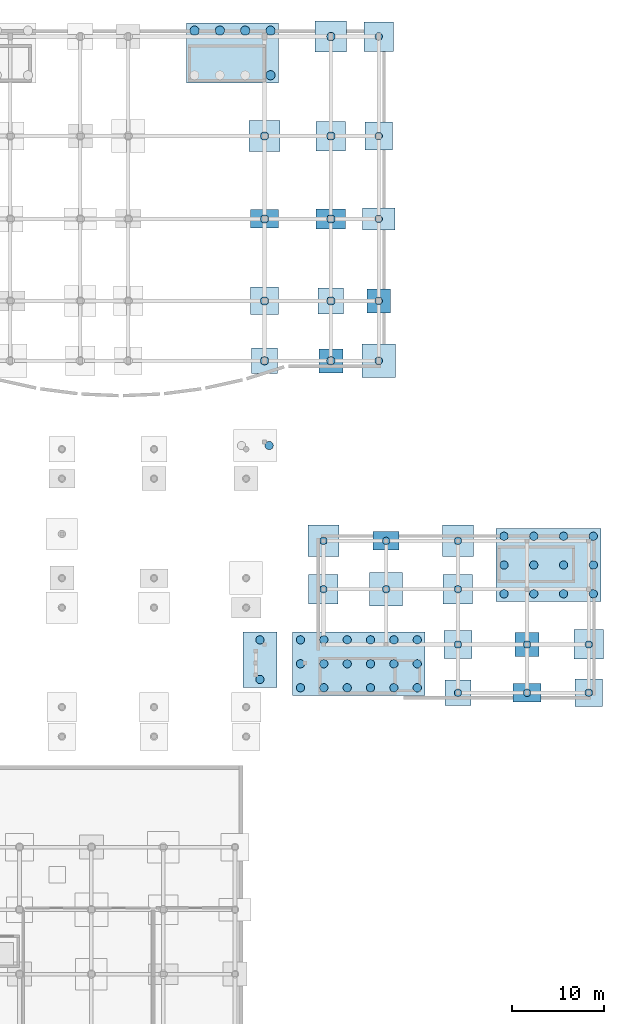
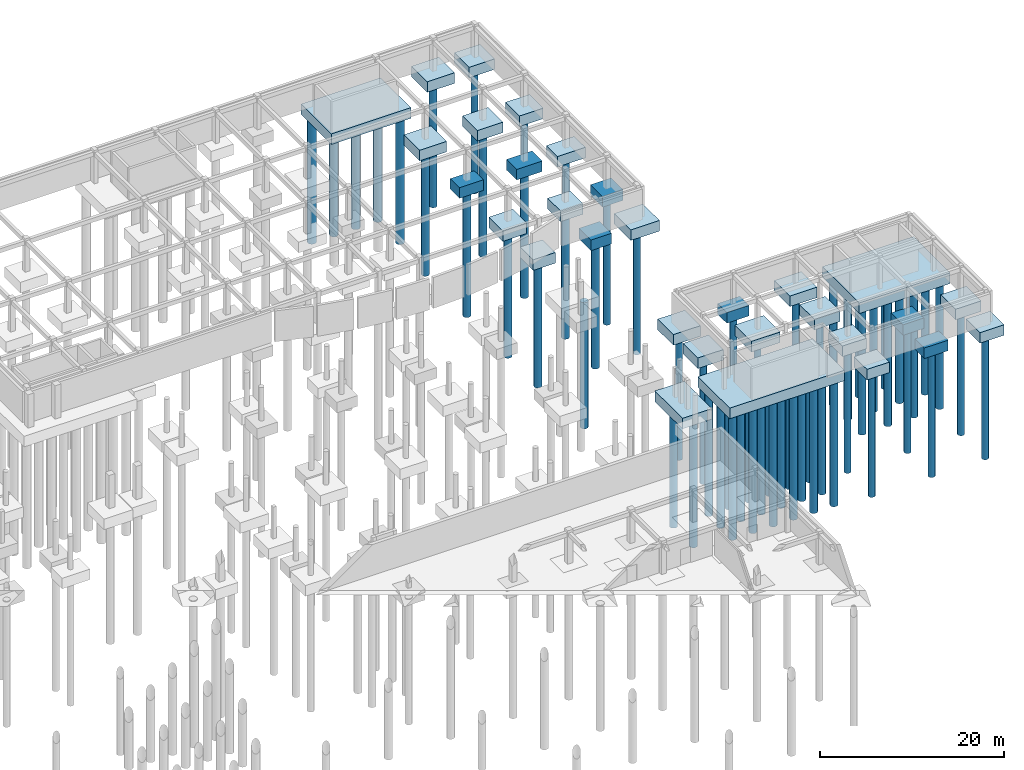
# One storey, part 5 of 22: 64 piles, 30 footings.
"""IFC4 building model written with IfcOpenShell, lengths in metres."""

from ifc_helpers import new_model, si_unit, direction, frame, origin, origin_2d, place, context, subcontext, project, spatial, polyline, rectangle, circle, outline, extrude, material, material_profile, profile_set, type_object, element, save


model = new_model("IFC4")

# Units and contexts
model_context = context("Model", 3, precision=1e-05, world=origin(), true_north=direction((0.0, 1.0)))
body_context = subcontext(model_context, "Body", "Model", "MODEL_VIEW")
ifc_project = project(units=[si_unit("LENGTHUNIT", "METRE"), si_unit("AREAUNIT", "SQUARE_METRE"), si_unit("VOLUMEUNIT", "CUBIC_METRE"), si_unit("PLANEANGLEUNIT", "RADIAN"), si_unit("MASSUNIT", "GRAM", prefix="KILO")], contexts=[model_context])

# Site, building, storey
site_placement = place(None, origin())
site = spatial("IfcSite", under=ifc_project, at=site_placement, CompositionType="ELEMENT")
building_placement = place(site_placement, origin())
building = spatial("IfcBuilding", under=site, at=building_placement, Name="Valcora Specialist Clinic", CompositionType="ELEMENT")
storey_placement = place(building_placement, frame((0.0, 0.0, -4.419921875)))
storey = spatial("IfcBuildingStorey", under=building, at=storey_placement, Name="B1", CompositionType="ELEMENT", Elevation=-4.419921875)

# Footings
ifc_material = material(Name="Concrete C35/45", Category="concrete")
footing_type_1 = type_object("IfcFootingType", Name="TY-FT-PC2600", PredefinedType="PILE_CAP", material=ifc_material)
for number, where, z_axis, x_axis, name in (
    (1, (154.5, 44.0, -1.400146484375), (0.0, 0.0, 1.0), (1.0, 0.0, 0.0), "Pile cap FT-PC-066"),
    (2, (133.199951171875, 74.800048828125, -1.400146484375), (0.0, 0.0, 1.0), (1.0, 0.0, 0.0), "Pile cap FT-PC-108"),
    (3, (138.39990234375, 81.300048828125, -1.400146484375), (0.0, 0.0, 1.0), (1.0, 0.0, 0.0), "Pile cap FT-PC-114"),
):
    element("IfcFooting", number, at=place(storey_placement, frame(where, z_axis=z_axis, x_axis=x_axis)), inside=storey, type_object=footing_type_1, Name=name, PredefinedType="PILE_CAP", context=body_context, shape_type="SweptSolid", body=[
        extrude(rectangle(XDim=2.60009765625, YDim=2.60009765625, at=origin_2d()), origin(), (0.0, 0.0, 1.0), 1.39990234375),
    ])
footing_type_2 = type_object("IfcFootingType", Name="TY-FT-PC2800", PredefinedType="PILE_CAP", material=ifc_material)
for number, where, z_axis, x_axis, name in (
    (4, (147.0, 38.75, -1.400146484375), (0.0, 0.0, 1.0), (1.0, 0.0, 0.0), "Pile cap FT-PC-061"),
    (5, (126.0, 74.800048828125, -1.400146484375), (0.0, 0.0, 1.0), (1.0, 0.0, 0.0), "Pile cap FT-PC-103"),
    (6, (133.199951171875, 81.300048828125, -1.400146484375), (0.0, 0.0, 1.0), (1.0, 0.0, 0.0), "Pile cap FT-PC-109"),
):
    element("IfcFooting", number, at=place(storey_placement, frame(where, z_axis=z_axis, x_axis=x_axis)), inside=storey, type_object=footing_type_2, Name=name, PredefinedType="PILE_CAP", context=body_context, shape_type="SweptSolid", body=[
        extrude(rectangle(XDim=2.800048828125, YDim=2.800048828125, at=origin_2d()), origin(), (0.0, 0.0, 1.0), 1.39990234375),
    ])
footing_type_3 = type_object("IfcFootingType", Name="TY-FT-PC2800X2000", PredefinedType="PILE_CAP", material=ifc_material)
footing_1_placement = place(storey_placement, frame((139.199951171875, 55.25, -1.400146484375), z_axis=(0.0, 0.0, 1.0), x_axis=(1.0, 0.0, 0.0)))
element("IfcFooting", 7, at=footing_1_placement, inside=storey, type_object=footing_type_3, Name="Pile cap FT-PC-060", PredefinedType="PILE_CAP", context=body_context, shape_type="SweptSolid", body=[
    extrude(rectangle(XDim=2.800048828125, YDim=2.0, at=origin_2d()), origin(), (0.0, 0.0, 1.0), 1.39990234375),
])
footing_type_4 = type_object("IfcFootingType", Name="TY-FT-PC3000", PredefinedType="PILE_CAP", material=ifc_material)
for number, where, z_axis, x_axis, name in (
    (8, (147.0, 44.0, -1.400146484375), (0.0, 0.0, 1.0), (1.0, 0.0, 0.0), "Pile cap FT-PC-062"),
    (9, (161.199951171875, 38.75, -1.400146484375), (0.0, 0.0, 1.0), (1.0, 0.0, 0.0), "Pile cap FT-PC-068"),
    (10, (126.0, 81.300048828125, -1.400146484375), (0.0, 0.0, 1.0), (1.0, 0.0, 0.0), "Pile cap FT-PC-104"),
    (11, (138.39990234375, 99.199951171875, -1.400146484375), (0.0, 0.0, 1.0), (1.0, 0.0, 0.0), "Pile cap FT-PC-116"),
):
    element("IfcFooting", number, at=place(storey_placement, frame(where, z_axis=z_axis, x_axis=x_axis)), inside=storey, type_object=footing_type_4, Name=name, PredefinedType="PILE_CAP", context=body_context, shape_type="SweptSolid", body=[
        extrude(rectangle(XDim=3.0, YDim=3.0, at=origin_2d()), origin(), (0.0, 0.0, 1.0), 1.39990234375),
    ])
footing_type_5 = type_object("IfcFootingType", Name="TY-FT-PC3000X2000", PredefinedType="PILE_CAP", material=ifc_material)
for number, where, z_axis, x_axis, name in (
    (12, (154.5, 38.75, -1.400146484375), (0.0, 0.0, 1.0), (1.0, 0.0, 0.0), "Pile cap FT-PC-065"),
    (13, (126.0, 90.199951171875, -1.400146484375), (0.0, 0.0, 1.0), (1.0, 0.0, 0.0), "Pile cap FT-PC-105"),
):
    element("IfcFooting", number, at=place(storey_placement, frame(where, z_axis=z_axis, x_axis=x_axis)), inside=storey, type_object=footing_type_5, Name=name, PredefinedType="PILE_CAP", context=body_context, shape_type="SweptSolid", body=[
        extrude(rectangle(XDim=3.0, YDim=2.0, at=origin_2d()), origin(), (0.0, 0.0, 1.0), 1.39990234375),
    ])
footing_type_6 = type_object("IfcFootingType", Name="TY-FT-PC3200", PredefinedType="PILE_CAP", material=ifc_material)
for number, where, z_axis, x_axis, name in (
    (14, (132.39990234375, 50.0, -1.400146484375), (0.0, 0.0, 1.0), (1.0, 0.0, 0.0), "Pile cap FT-PC-057"),
    (15, (147.0, 50.0, -1.400146484375), (0.0, 0.0, 1.0), (1.0, 0.0, 0.0), "Pile cap FT-PC-063"),
    (16, (161.199951171875, 44.0, -1.400146484375), (0.0, 0.0, 1.0), (1.0, 0.0, 0.0), "Pile cap FT-PC-069"),
    (17, (133.199951171875, 99.199951171875, -1.400146484375), (0.0, 0.0, 1.0), (1.0, 0.0, 0.0), "Pile cap FT-PC-111"),
    (18, (138.39990234375, 110.0, -1.400146484375), (0.0, 0.0, 1.0), (1.0, 0.0, 0.0), "Pile cap FT-PC-117"),
):
    element("IfcFooting", number, at=place(storey_placement, frame(where, z_axis=z_axis, x_axis=x_axis)), inside=storey, type_object=footing_type_6, Name=name, PredefinedType="PILE_CAP", context=body_context, shape_type="SweptSolid", body=[
        extrude(rectangle(XDim=3.199951171875, YDim=3.199951171875, at=origin_2d()), origin(), (0.0, 0.0, 1.0), 1.39990234375),
    ])
footing_type_7 = type_object("IfcFootingType", Name="TY-FT-PC3200X2200", PredefinedType="PILE_CAP", material=ifc_material)
footing_2_placement = place(storey_placement, frame((133.199951171875, 90.199951171875, -1.400146484375), z_axis=(0.0, 0.0, 1.0), x_axis=(1.0, 0.0, 0.0)))
element("IfcFooting", 19, at=footing_2_placement, inside=storey, type_object=footing_type_7, Name="Pile cap FT-PC-110", PredefinedType="PILE_CAP", context=body_context, shape_type="SweptSolid", body=[
    extrude(rectangle(XDim=3.199951171875, YDim=2.199951171875, at=origin_2d()), origin(), (0.0, 0.0, 1.0), 1.39990234375),
])
footing_type_8 = type_object("IfcFootingType", Name="TY-FT-PC3400", PredefinedType="PILE_CAP", material=ifc_material)
for number, where, z_axis, x_axis, name in (
    (20, (132.39990234375, 55.25, -1.400146484375), (0.0, 0.0, 1.0), (1.0, 0.0, 0.0), "Pile cap FT-PC-058"),
    (21, (147.0, 55.25, -1.400146484375), (0.0, 0.0, 1.0), (1.0, 0.0, 0.0), "Pile cap FT-PC-064"),
    (22, (126.0, 99.199951171875, -1.400146484375), (0.0, 0.0, 1.0), (1.0, 0.0, 0.0), "Pile cap FT-PC-106"),
    (23, (133.199951171875, 110.0, -1.400146484375), (0.0, 0.0, 1.0), (1.0, 0.0, 0.0), "Pile cap FT-PC-112"),
):
    element("IfcFooting", number, at=place(storey_placement, frame(where, z_axis=z_axis, x_axis=x_axis)), inside=storey, type_object=footing_type_8, Name=name, PredefinedType="PILE_CAP", context=body_context, shape_type="SweptSolid", body=[
        extrude(rectangle(XDim=3.39990234375, YDim=3.39990234375, at=origin_2d()), origin(), (0.0, 0.0, 1.0), 1.39990234375),
    ])
footing_type_9 = type_object("IfcFootingType", Name="TY-FT-PC3500X2400", PredefinedType="PILE_CAP", material=ifc_material)
footing_3_placement = place(storey_placement, frame((138.39990234375, 90.199951171875, -1.400146484375), z_axis=(0.0, 0.0, 1.0), x_axis=(1.0, 0.0, 0.0)))
element("IfcFooting", 24, at=footing_3_placement, inside=storey, type_object=footing_type_9, Name="Pile cap FT-PC-115", PredefinedType="PILE_CAP", context=body_context, shape_type="SweptSolid", body=[
    extrude(rectangle(XDim=3.5, YDim=2.39990234375, at=origin_2d()), origin(), (0.0, 0.0, 1.0), 1.39990234375),
])
footing_type_10 = type_object("IfcFootingType", Name="TY-FT-PC3600", PredefinedType="PILE_CAP", material=ifc_material)
for number, where, z_axis, x_axis, name in (
    (25, (139.199951171875, 50.0, -1.400146484375), (0.0, 0.0, 1.0), (1.0, 0.0, 0.0), "Pile cap FT-PC-059"),
    (26, (138.39990234375, 74.800048828125, -1.400146484375), (0.0, 0.0, 1.0), (1.0, 0.0, 0.0), "Pile cap FT-PC-113"),
):
    element("IfcFooting", number, at=place(storey_placement, frame(where, z_axis=z_axis, x_axis=x_axis)), inside=storey, type_object=footing_type_10, Name=name, PredefinedType="PILE_CAP", context=body_context, shape_type="SweptSolid", body=[
        extrude(rectangle(XDim=3.60009765625, YDim=3.60009765625, at=origin_2d()), origin(), (0.0, 0.0, 1.0), 1.39990234375),
    ])
footing_type_11 = type_object("IfcFootingType", Name="TY-FT-PC4500X3000", PredefinedType="PILE_CAP", material=ifc_material)
footing_4_placement = place(storey_placement, frame((0.0, 0.0, -1.400146484375)))
element("IfcFooting", 27, at=footing_4_placement, inside=storey, type_object=footing_type_11, Name="Combined pile cap FT-PC-067", PredefinedType="PILE_CAP", context=body_context, shape_type="SweptSolid", body=[
    extrude(outline(polyline([(151.14990234375, 48.64990234375), (162.550048828125, 48.64990234375), (162.550048828125, 56.60009765625), (151.14990234375, 56.60009765625), (151.14990234375, 48.64990234375)])), origin(), (0.0, 0.0, 1.0), 1.400146484375),
])
footing_5_placement = place(storey_placement, frame((0.0, 0.0, -1.400146484375)))
element("IfcFooting", 28, at=footing_5_placement, inside=storey, type_object=footing_type_11, Name="Combined pile cap FT-PC-193", PredefinedType="PILE_CAP", context=body_context, shape_type="SweptSolid", body=[
    extrude(outline(polyline([(123.64990234375, 39.35009765625), (127.35009765625, 39.35009765625), (127.35009765625, 45.35009765625), (123.64990234375, 45.35009765625), (123.64990234375, 39.35009765625)])), origin(), (0.0, 0.0, 1.0), 1.400146484375),
])
footing_type_12 = type_object("IfcFootingType", Name="TY-FT-PC4800X3200", PredefinedType="PILE_CAP", material=ifc_material)
footing_6_placement = place(storey_placement, frame((0.0, 0.0, -1.400146484375)))
element("IfcFooting", 29, at=footing_6_placement, inside=storey, type_object=footing_type_12, Name="Combined pile cap FT-PC-056", PredefinedType="PILE_CAP", context=body_context, shape_type="SweptSolid", body=[
    extrude(outline(polyline([(129.050048828125, 38.449951171875), (143.429931640625, 38.449951171875), (143.429931640625, 45.35009765625), (129.050048828125, 45.35009765625), (129.050048828125, 38.449951171875)])), origin(), (0.0, 0.0, 1.0), 1.400146484375),
])
footing_7_placement = place(storey_placement, frame((0.0, 0.0, -1.400146484375)))
element("IfcFooting", 30, at=footing_7_placement, inside=storey, type_object=footing_type_12, Name="Combined pile cap FT-PC-107", PredefinedType="PILE_CAP", context=body_context, shape_type="SweptSolid", body=[
    extrude(outline(polyline([(117.550048828125, 104.949951171875), (127.5, 104.949951171875), (127.5, 111.5), (117.550048828125, 111.5), (117.550048828125, 104.949951171875)])), origin(), (0.0, 0.0, 1.0), 1.400146484375),
])

# Piles
ifc_material_profile_1 = material_profile(ifc_material, circle(Radius=0.5, at=origin_2d()), Name="RC-PIL-D1000")
ifc_profile_set_1 = profile_set([ifc_material_profile_1], Name="Concrete C35/45")
pile_type_1 = type_object("IfcPileType", Name="TY-PL-B1000", PredefinedType="BORED", material=ifc_profile_set_1)
for number, where, z_axis, x_axis, name in (
    (31, (118.39990234375, 110.64990234375, -1.300048828125), (0.0, 0.0, -1.0), (1.0, 0.0, 0.0), "Bored pile PL-FT-PC-107-02"),
    (32, (121.14990234375, 110.64990234375, -1.300048828125), (0.0, 0.0, -1.0), (1.0, 0.0, 0.0), "Bored pile PL-FT-PC-107-04"),
    (33, (123.89990234375, 110.64990234375, -1.300048828125), (0.0, 0.0, -1.0), (1.0, 0.0, 0.0), "Bored pile PL-FT-PC-107-06"),
    (34, (126.64990234375, 105.800048828125, -1.300048828125), (0.0, 0.0, -1.0), (1.0, 0.0, 0.0), "Bored pile PL-FT-PC-107-07"),
    (35, (126.64990234375, 110.64990234375, -1.300048828125), (0.0, 0.0, -1.0), (1.0, 0.0, 0.0), "Bored pile PL-FT-PC-107-08"),
):
    element("IfcPile", number, at=place(storey_placement, frame(where, z_axis=z_axis, x_axis=x_axis)), inside=storey, type_object=pile_type_1, Name=name, PredefinedType="BORED", context=body_context, shape_type="SweptSolid", body=[
        extrude(circle(Radius=0.5, at=origin_2d()), origin(), (0.0, 0.0, 1.0), 16.699951171875),
    ])
ifc_material_profile_2 = material_profile(ifc_material, circle(Radius=0.39990234375, at=origin_2d()), Name="RC-PIL-D800")
ifc_profile_set_2 = profile_set([ifc_material_profile_2], Name="Concrete C35/45")
pile_type_2 = type_object("IfcPileType", Name="TY-PL-B800", PredefinedType="BORED", material=ifc_profile_set_2)
for number, where, z_axis, x_axis, name in (
    (36, (132.39990234375, 50.0, -1.300048828125), (0.0, 0.0, -1.0), (1.0, 0.0, 0.0), "Bored pile PL-FT-PC-057-01"),
    (37, (132.39990234375, 55.25, -1.300048828125), (0.0, 0.0, -1.0), (1.0, 0.0, 0.0), "Bored pile PL-FT-PC-058-01"),
    (38, (139.199951171875, 50.0, -1.300048828125), (0.0, 0.0, -1.0), (1.0, 0.0, 0.0), "Bored pile PL-FT-PC-059-01"),
    (39, (139.199951171875, 55.25, -1.300048828125), (0.0, 0.0, -1.0), (1.0, 0.0, 0.0), "Bored pile PL-FT-PC-060-01"),
    (40, (147.0, 38.75, -1.300048828125), (0.0, 0.0, -1.0), (1.0, 0.0, 0.0), "Bored pile PL-FT-PC-061-01"),
    (41, (147.0, 44.0, -1.300048828125), (0.0, 0.0, -1.0), (1.0, 0.0, 0.0), "Bored pile PL-FT-PC-062-01"),
    (42, (147.0, 50.0, -1.300048828125), (0.0, 0.0, -1.0), (1.0, 0.0, 0.0), "Bored pile PL-FT-PC-063-01"),
    (43, (147.0, 55.25, -1.300048828125), (0.0, 0.0, -1.0), (1.0, 0.0, 0.0), "Bored pile PL-FT-PC-064-01"),
    (44, (154.5, 38.75, -1.300048828125), (0.0, 0.0, -1.0), (1.0, 0.0, 0.0), "Bored pile PL-FT-PC-065-01"),
    (45, (154.5, 44.0, -1.300048828125), (0.0, 0.0, -1.0), (1.0, 0.0, 0.0), "Bored pile PL-FT-PC-066-01"),
    (46, (161.199951171875, 38.75, -1.300048828125), (0.0, 0.0, -1.0), (1.0, 0.0, 0.0), "Bored pile PL-FT-PC-068-01"),
    (47, (161.199951171875, 44.0, -1.300048828125), (0.0, 0.0, -1.0), (1.0, 0.0, 0.0), "Bored pile PL-FT-PC-069-01"),
    (48, (138.39990234375, 74.800048828125, -1.300048828125), (0.0, 0.0, -1.0), (1.0, 0.0, 0.0), "Bored pile PL-FT-PC-113-01"),
    (49, (138.39990234375, 81.300048828125, -1.300048828125), (0.0, 0.0, -1.0), (1.0, 0.0, 0.0), "Bored pile PL-FT-PC-114-01"),
    (50, (138.39990234375, 90.199951171875, -1.300048828125), (0.0, 0.0, -1.0), (1.0, 0.0, 0.0), "Bored pile PL-FT-PC-115-01"),
    (51, (138.39990234375, 99.199951171875, -1.300048828125), (0.0, 0.0, -1.0), (1.0, 0.0, 0.0), "Bored pile PL-FT-PC-116-01"),
    (52, (138.39990234375, 110.0, -1.300048828125), (0.0, 0.0, -1.0), (1.0, 0.0, 0.0), "Bored pile PL-FT-PC-117-01"),
):
    element("IfcPile", number, at=place(storey_placement, frame(where, z_axis=z_axis, x_axis=x_axis)), inside=storey, type_object=pile_type_2, Name=name, PredefinedType="BORED", context=body_context, shape_type="SweptSolid", body=[
        extrude(circle(Radius=0.39990234375, at=origin_2d()), origin(), (0.0, 0.0, 1.0), 16.699951171875),
    ])
ifc_material_profile_3 = material_profile(ifc_material, circle(Radius=0.449951171875, at=origin_2d()), Name="RC-PIL-D900")
ifc_profile_set_3 = profile_set([ifc_material_profile_3], Name="Concrete C35/45")
pile_type_3 = type_object("IfcPileType", Name="TY-PL-B900", PredefinedType="BORED", material=ifc_profile_set_3)
for number, where, z_axis, x_axis, name in (
    (53, (129.89990234375, 39.300048828125, -1.300048828125), (0.0, 0.0, -1.0), (1.0, 0.0, 0.0), "Bored pile PL-FT-PC-056-01"),
    (54, (129.89990234375, 41.89990234375, -1.300048828125), (0.0, 0.0, -1.0), (1.0, 0.0, 0.0), "Bored pile PL-FT-PC-056-02"),
    (55, (129.89990234375, 44.5, -1.300048828125), (0.0, 0.0, -1.0), (1.0, 0.0, 0.0), "Bored pile PL-FT-PC-056-03"),
    (56, (132.43603515625, 39.300048828125, -1.300048828125), (0.0, 0.0, -1.0), (1.0, 0.0, 0.0), "Bored pile PL-FT-PC-056-04"),
    (57, (132.43603515625, 41.89990234375, -1.300048828125), (0.0, 0.0, -1.0), (1.0, 0.0, 0.0), "Bored pile PL-FT-PC-056-05"),
    (58, (132.43603515625, 44.5, -1.300048828125), (0.0, 0.0, -1.0), (1.0, 0.0, 0.0), "Bored pile PL-FT-PC-056-06"),
    (59, (134.971923828125, 39.300048828125, -1.300048828125), (0.0, 0.0, -1.0), (1.0, 0.0, 0.0), "Bored pile PL-FT-PC-056-07"),
    (60, (134.971923828125, 41.89990234375, -1.300048828125), (0.0, 0.0, -1.0), (1.0, 0.0, 0.0), "Bored pile PL-FT-PC-056-08"),
    (61, (134.971923828125, 44.5, -1.300048828125), (0.0, 0.0, -1.0), (1.0, 0.0, 0.0), "Bored pile PL-FT-PC-056-09"),
    (62, (137.508056640625, 39.300048828125, -1.300048828125), (0.0, 0.0, -1.0), (1.0, 0.0, 0.0), "Bored pile PL-FT-PC-056-10"),
    (63, (137.508056640625, 41.89990234375, -1.300048828125), (0.0, 0.0, -1.0), (1.0, 0.0, 0.0), "Bored pile PL-FT-PC-056-11"),
    (64, (137.508056640625, 44.5, -1.300048828125), (0.0, 0.0, -1.0), (1.0, 0.0, 0.0), "Bored pile PL-FT-PC-056-12"),
    (65, (140.0439453125, 39.300048828125, -1.300048828125), (0.0, 0.0, -1.0), (1.0, 0.0, 0.0), "Bored pile PL-FT-PC-056-13"),
    (66, (140.0439453125, 41.89990234375, -1.300048828125), (0.0, 0.0, -1.0), (1.0, 0.0, 0.0), "Bored pile PL-FT-PC-056-14"),
    (67, (140.0439453125, 44.5, -1.300048828125), (0.0, 0.0, -1.0), (1.0, 0.0, 0.0), "Bored pile PL-FT-PC-056-15"),
    (68, (142.580078125, 39.300048828125, -1.300048828125), (0.0, 0.0, -1.0), (1.0, 0.0, 0.0), "Bored pile PL-FT-PC-056-16"),
    (69, (142.580078125, 41.89990234375, -1.300048828125), (0.0, 0.0, -1.0), (1.0, 0.0, 0.0), "Bored pile PL-FT-PC-056-17"),
    (70, (142.580078125, 44.5, -1.300048828125), (0.0, 0.0, -1.0), (1.0, 0.0, 0.0), "Bored pile PL-FT-PC-056-18"),
    (71, (152.0, 49.5, -1.300048828125), (0.0, 0.0, -1.0), (1.0, 0.0, 0.0), "Bored pile PL-FT-PC-067-01"),
    (72, (152.0, 52.625, -1.300048828125), (0.0, 0.0, -1.0), (1.0, 0.0, 0.0), "Bored pile PL-FT-PC-067-02"),
    (73, (152.0, 55.75, -1.300048828125), (0.0, 0.0, -1.0), (1.0, 0.0, 0.0), "Bored pile PL-FT-PC-067-03"),
    (74, (155.23291015625, 49.5, -1.300048828125), (0.0, 0.0, -1.0), (1.0, 0.0, 0.0), "Bored pile PL-FT-PC-067-04"),
    (75, (155.23291015625, 52.625, -1.300048828125), (0.0, 0.0, -1.0), (1.0, 0.0, 0.0), "Bored pile PL-FT-PC-067-05"),
    (76, (155.23291015625, 55.75, -1.300048828125), (0.0, 0.0, -1.0), (1.0, 0.0, 0.0), "Bored pile PL-FT-PC-067-06"),
    (77, (158.467041015625, 49.5, -1.300048828125), (0.0, 0.0, -1.0), (1.0, 0.0, 0.0), "Bored pile PL-FT-PC-067-07"),
    (78, (158.467041015625, 52.625, -1.300048828125), (0.0, 0.0, -1.0), (1.0, 0.0, 0.0), "Bored pile PL-FT-PC-067-08"),
    (79, (158.467041015625, 55.75, -1.300048828125), (0.0, 0.0, -1.0), (1.0, 0.0, 0.0), "Bored pile PL-FT-PC-067-09"),
    (80, (161.699951171875, 49.5, -1.300048828125), (0.0, 0.0, -1.0), (1.0, 0.0, 0.0), "Bored pile PL-FT-PC-067-10"),
    (81, (161.699951171875, 52.625, -1.300048828125), (0.0, 0.0, -1.0), (1.0, 0.0, 0.0), "Bored pile PL-FT-PC-067-11"),
    (82, (161.699951171875, 55.75, -1.300048828125), (0.0, 0.0, -1.0), (1.0, 0.0, 0.0), "Bored pile PL-FT-PC-067-12"),
    (83, (126.0, 74.800048828125, -1.300048828125), (0.0, 0.0, -1.0), (1.0, 0.0, 0.0), "Bored pile PL-FT-PC-103-01"),
    (84, (126.0, 81.300048828125, -1.300048828125), (0.0, 0.0, -1.0), (1.0, 0.0, 0.0), "Bored pile PL-FT-PC-104-01"),
    (85, (126.0, 90.199951171875, -1.300048828125), (0.0, 0.0, -1.0), (1.0, 0.0, 0.0), "Bored pile PL-FT-PC-105-01"),
    (86, (126.0, 99.199951171875, -1.300048828125), (0.0, 0.0, -1.0), (1.0, 0.0, 0.0), "Bored pile PL-FT-PC-106-01"),
    (87, (133.199951171875, 74.800048828125, -1.300048828125), (0.0, 0.0, -1.0), (1.0, 0.0, 0.0), "Bored pile PL-FT-PC-108-01"),
    (88, (133.199951171875, 81.300048828125, -1.300048828125), (0.0, 0.0, -1.0), (1.0, 0.0, 0.0), "Bored pile PL-FT-PC-109-01"),
    (89, (133.199951171875, 90.199951171875, -1.300048828125), (0.0, 0.0, -1.0), (1.0, 0.0, 0.0), "Bored pile PL-FT-PC-110-01"),
    (90, (133.199951171875, 99.199951171875, -1.300048828125), (0.0, 0.0, -1.0), (1.0, 0.0, 0.0), "Bored pile PL-FT-PC-111-01"),
    (91, (133.199951171875, 110.0, -1.300048828125), (0.0, 0.0, -1.0), (1.0, 0.0, 0.0), "Bored pile PL-FT-PC-112-01"),
    (92, (125.5, 40.199951171875, -1.300048828125), (0.0, 0.0, -1.0), (1.0, 0.0, 0.0), "Bored pile PL-FT-PC-193-01"),
    (93, (125.5, 44.5, -1.300048828125), (0.0, 0.0, -1.0), (1.0, 0.0, 0.0), "Bored pile PL-FT-PC-193-02"),
    (94, (126.5, 65.60009765625, -1.300048828125), (0.0, 0.0, -1.0), (1.0, 0.0, 0.0), "Bored pile PL-FT-PC-253-02"),
):
    element("IfcPile", number, at=place(storey_placement, frame(where, z_axis=z_axis, x_axis=x_axis)), inside=storey, type_object=pile_type_3, Name=name, PredefinedType="BORED", context=body_context, shape_type="SweptSolid", body=[
        extrude(circle(Radius=0.449951171875, at=origin_2d()), origin(), (0.0, 0.0, 1.0), 16.699951171875),
    ])

save(model, "model.ifc")
